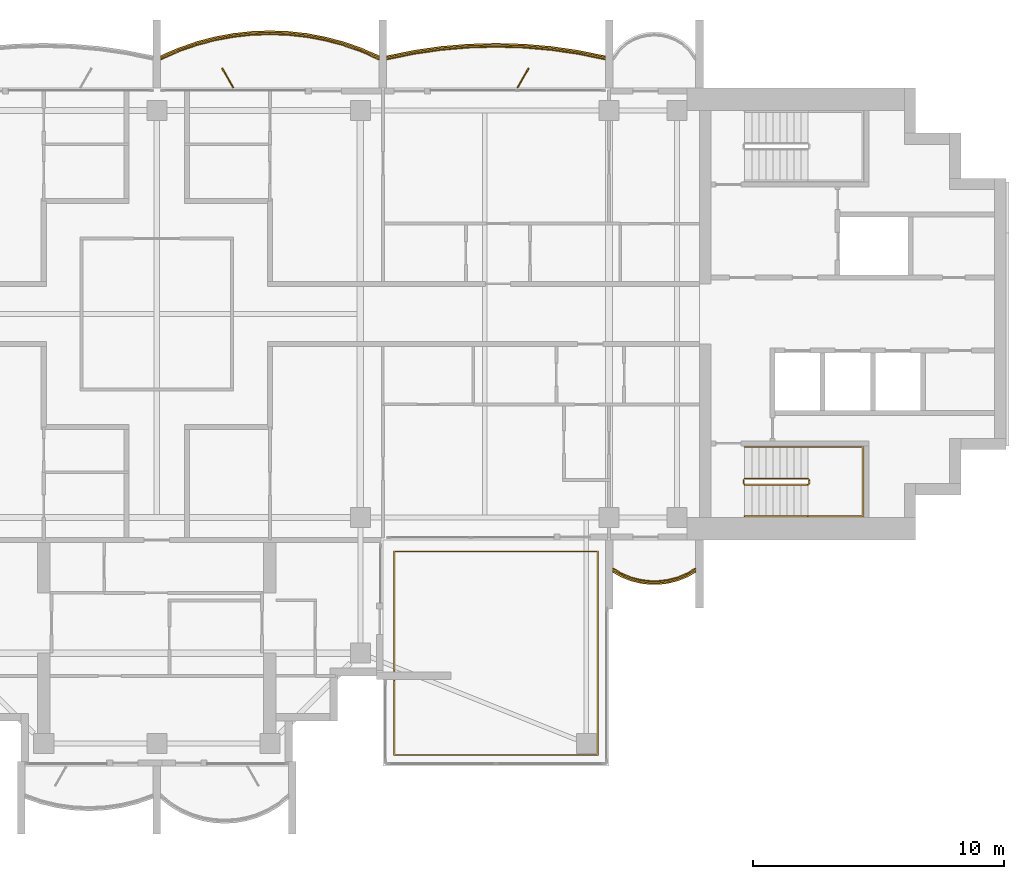
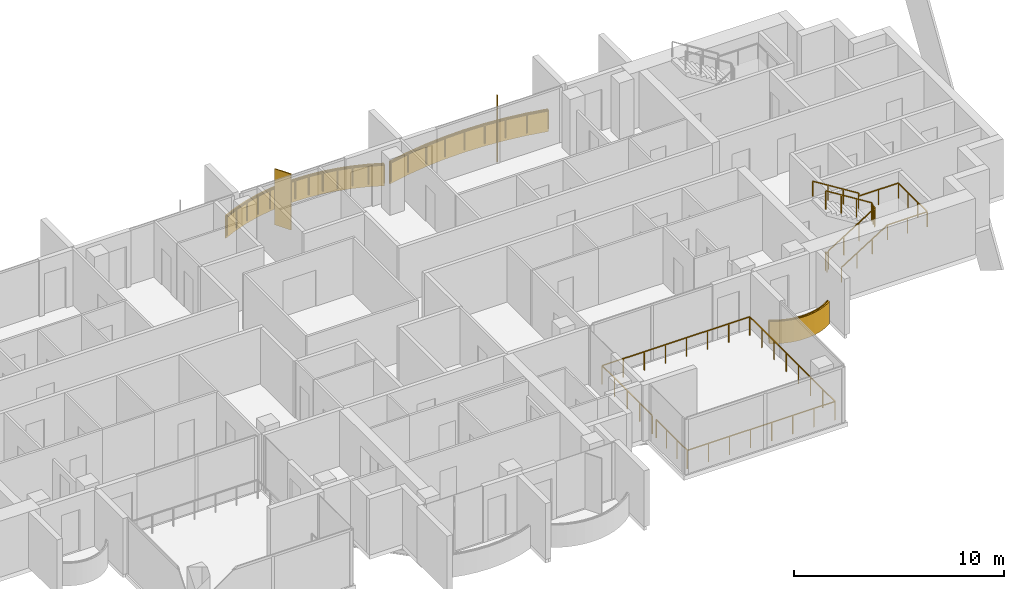
# One storey, part 15 of 16: 6 railings, 3 coverings, 2 shading devices.
"""IFC4 building model written with IfcOpenShell, lengths in metres."""

from ifc_helpers import new_model, si_unit, direction, frame, origin, origin_2d, place, context, subcontext, project, spatial, polyline, rectangle, outline, extrude, material, layer, layer_set, type_object, element, save


model = new_model("IFC4")

# Units and contexts
model_context = context("Model", 3, precision=1e-05, world=origin(), true_north=direction((0.0, 1.0)))
body_context = subcontext(model_context, "Body", "Model", "MODEL_VIEW")
ifc_project = project(units=[si_unit("LENGTHUNIT", "METRE"), si_unit("AREAUNIT", "SQUARE_METRE"), si_unit("VOLUMEUNIT", "CUBIC_METRE"), si_unit("PLANEANGLEUNIT", "RADIAN"), si_unit("MASSUNIT", "GRAM", prefix="KILO")], contexts=[model_context])

# Site, building, storey
site_placement = place(None, origin())
site = spatial("IfcSite", under=ifc_project, at=site_placement, CompositionType="ELEMENT")
building_placement = place(site_placement, origin())
building = spatial("IfcBuilding", under=site, at=building_placement, Name="Perihelion Cross Residences", CompositionType="ELEMENT")
storey_placement = place(building_placement, frame((0.0, 0.0, 253.5)))
storey = spatial("IfcBuildingStorey", under=building, at=storey_placement, Name="L64", CompositionType="ELEMENT", Elevation=253.5)

# Coverings
ifc_material_1 = material(Name="Bronze anodised aluminium", Category="aluminium")
ifc_layer_1 = layer(ifc_material_1, 0.070068359375)
ifc_layer_set_1 = layer_set([ifc_layer_1], Name="Balcony fascia 1300")
covering_type = type_object("IfcCoveringType", Name="Balcony fascia 1300", PredefinedType="CLADDING", material=ifc_layer_set_1)
covering_1_placement = place(storey_placement, frame((0.0, 0.0, -0.199951171875)))
element("IfcCovering", 1, at=covering_1_placement, inside=storey, type_object=covering_type, Name="Fascia BF1 L64 east side north bay 2", PredefinedType="CLADDING", context=body_context, shape_type="SweptSolid", body=[
    extrude(outline(polyline([(16.7744140625, 10.4892578125), (15.682861328125, 10.645751953125), (14.591552734375, 10.739013671875), (13.5, 10.77001953125), (12.408447265625, 10.739013671875), (11.317138671875, 10.645751953125), (10.2255859375, 10.4892578125), (9.14990234375, 10.271484375), (9.14990234375, 10.199951171875), (10.237548828125, 10.42041015625), (11.324951171875, 10.576171875), (12.41259765625, 10.669189453125), (13.5, 10.699951171875), (14.58740234375, 10.669189453125), (15.675048828125, 10.576171875), (16.762451171875, 10.42041015625), (17.85009765625, 10.199951171875), (17.85009765625, 10.271484375), (16.7744140625, 10.4892578125)])), origin(), (0.0, 0.0, 1.0), 1.300048828125),
])
covering_2_placement = place(storey_placement, frame((0.0, 0.0, -0.199951171875)))
element("IfcCovering", 2, at=covering_2_placement, inside=storey, type_object=covering_type, Name="Fascia BF1 L64 north side east bay 1", PredefinedType="CLADDING", context=body_context, shape_type="SweptSolid", body=[
    extrude(outline(polyline([(8.150634765625, 10.582275390625), (7.42041015625, 10.83544921875), (6.690185546875, 11.028076171875), (5.960205078125, 11.1630859375), (5.22998046875, 11.243408203125), (4.5, 11.27001953125), (3.77001953125, 11.243408203125), (3.039794921875, 11.1630859375), (2.309814453125, 11.028076171875), (1.57958984375, 10.83544921875), (0.849365234375, 10.582275390625), (0.14990234375, 10.2763671875), (0.14990234375, 10.199951171875), (0.875, 10.51708984375), (1.60009765625, 10.7685546875), (2.324951171875, 10.959716796875), (3.050048828125, 11.093994140625), (3.77490234375, 11.173583984375), (4.5, 11.199951171875), (5.22509765625, 11.173583984375), (5.949951171875, 11.093994140625), (6.675048828125, 10.959716796875), (7.39990234375, 10.7685546875), (8.125, 10.51708984375), (8.85009765625, 10.199951171875), (8.85009765625, 10.2763671875), (8.150634765625, 10.582275390625)])), origin(), (0.0, 0.0, 1.0), 1.300048828125),
])
covering_3_placement = place(storey_placement, frame((0.0, 0.0, -0.199951171875)))
element("IfcCovering", 3, at=covering_3_placement, inside=storey, type_object=covering_type, Name="Fascia BF1 L64 east side south bay 2", PredefinedType="CLADDING", context=body_context, shape_type="SweptSolid", body=[
    extrude(outline(polyline([(18.486328125, -10.4716796875), (18.861572265625, -10.62158203125), (19.237060546875, -10.717529296875), (19.6123046875, -10.76416015625), (19.987548828125, -10.76416015625), (20.363037109375, -10.717529296875), (20.73828125, -10.62158203125), (21.11376953125, -10.4716796875), (21.449951171875, -10.280517578125), (21.449951171875, -10.199951171875), (21.083251953125, -10.40869140625), (20.716552734375, -10.55517578125), (20.35009765625, -10.648681640625), (19.9833984375, -10.6943359375), (19.61669921875, -10.6943359375), (19.25, -10.648681640625), (18.88330078125, -10.55517578125), (18.5166015625, -10.40869140625), (18.14990234375, -10.199951171875), (18.14990234375, -10.280517578125), (18.486328125, -10.4716796875)])), origin(), (0.0, 0.0, 1.0), 1.300048828125),
])

# Railings
ifc_material_2 = material(Name="Bronze anodised aluminium", Category="aluminium")
railing_type_1 = type_object("IfcRailingType", Name="Balcony guard 1100", PredefinedType="GUARDRAIL", material=ifc_material_2)
railing_1_placement = place(storey_placement, frame((17.824951171875, 10.139892578125, 0.0)))
element("IfcRailing", 4, at=railing_1_placement, inside=storey, type_object=railing_type_1, Name="Guard GU1 L64 east side north bay 2 balcony", PredefinedType="GUARDRAIL", context=body_context, shape_type="SweptSolid", body=[
    extrude(rectangle(XDim=0.048095703125, YDim=0.048095703125, at=origin_2d()), frame((0.0, 0.0, 1.076171875), z_axis=(-0.979144816647, 0.203163549961, 0.0), x_axis=(-0.203163549961, -0.979144816647, 0.0)), (0.0, 0.0, 1.0), 1.085205078125),
    extrude(rectangle(XDim=0.048095703125, YDim=0.048095703125, at=origin_2d()), frame((-1.0625, 0.220458984375, 1.076171875), z_axis=(-0.98989608354, 0.141794724135, 0.0), x_axis=(-0.141794724135, -0.98989608354, 0.0)), (0.0, 0.0, 1.0), 1.098388671875),
    extrude(rectangle(XDim=0.048095703125, YDim=0.048095703125, at=origin_2d()), frame((-2.14990234375, 0.376220703125, 1.076171875), z_axis=(-0.996362942492, 0.085210837506, 0.0), x_axis=(-0.085210837506, -0.996362942492, 0.0)), (0.0, 0.0, 1.0), 1.091552734375),
    extrude(rectangle(XDim=0.048095703125, YDim=0.048095703125, at=origin_2d()), frame((-3.237548828125, 0.46923828125, 1.076171875), z_axis=(-0.999600101203, 0.028277865458, 0.0), x_axis=(-0.028277865458, -0.999600101203, 0.0)), (0.0, 0.0, 1.0), 1.087890625),
    extrude(rectangle(XDim=0.048095703125, YDim=0.048095703125, at=origin_2d()), frame((-4.324951171875, 0.5, 1.076171875), z_axis=(-0.999600101203, -0.028277865458, 0.0), x_axis=(0.028277865458, -0.999600101203, 0.0)), (0.0, 0.0, 1.0), 1.087890625),
    extrude(rectangle(XDim=0.048095703125, YDim=0.048095703125, at=origin_2d()), frame((-5.412353515625, 0.46923828125, 1.076171875), z_axis=(-0.996362942492, -0.085210837506, 0.0), x_axis=(0.085210837506, -0.996362942492, 0.0)), (0.0, 0.0, 1.0), 1.091552734375),
    extrude(rectangle(XDim=0.048095703125, YDim=0.048095703125, at=origin_2d()), frame((-6.5, 0.376220703125, 1.076171875), z_axis=(-0.98989608354, -0.141794724135, 0.0), x_axis=(0.141794724135, -0.98989608354, 0.0)), (0.0, 0.0, 1.0), 1.098388671875),
    extrude(rectangle(XDim=0.048095703125, YDim=0.048095703125, at=origin_2d()), frame((-7.58740234375, 0.220458984375, 1.076171875), z_axis=(-0.979144816647, -0.203163549961, 0.0), x_axis=(0.203163549961, -0.979144816647, 0.0)), (0.0, 0.0, 1.0), 1.085205078125),
    extrude(rectangle(XDim=0.0419921875, YDim=0.0419921875, at=origin_2d()), origin(), (0.0, 0.0, 1.0), 1.052001953125),
    extrude(rectangle(XDim=0.0419921875, YDim=0.0419921875, at=origin_2d()), frame((-1.0625, 0.220458984375, 0.0)), (0.0, 0.0, 1.0), 1.052001953125),
    extrude(rectangle(XDim=0.0419921875, YDim=0.0419921875, at=origin_2d()), frame((-2.14990234375, 0.376220703125, 0.0)), (0.0, 0.0, 1.0), 1.052001953125),
    extrude(rectangle(XDim=0.0419921875, YDim=0.0419921875, at=origin_2d()), frame((-3.237548828125, 0.46923828125, 0.0)), (0.0, 0.0, 1.0), 1.052001953125),
    extrude(rectangle(XDim=0.0419921875, YDim=0.0419921875, at=origin_2d()), frame((-4.324951171875, 0.5, 0.0)), (0.0, 0.0, 1.0), 1.052001953125),
    extrude(rectangle(XDim=0.0419921875, YDim=0.0419921875, at=origin_2d()), frame((-5.412353515625, 0.46923828125, 0.0)), (0.0, 0.0, 1.0), 1.052001953125),
    extrude(rectangle(XDim=0.0419921875, YDim=0.0419921875, at=origin_2d()), frame((-6.5, 0.376220703125, 0.0)), (0.0, 0.0, 1.0), 1.052001953125),
    extrude(rectangle(XDim=0.0419921875, YDim=0.0419921875, at=origin_2d()), frame((-7.58740234375, 0.220458984375, 0.0)), (0.0, 0.0, 1.0), 1.052001953125),
    extrude(rectangle(XDim=0.0419921875, YDim=0.0419921875, at=origin_2d()), frame((-8.64990234375, 0.0, 0.0)), (0.0, 0.0, 1.0), 1.052001953125),
])
railing_2_placement = place(storey_placement, frame((8.824951171875, 10.139892578125, 0.0)))
element("IfcRailing", 5, at=railing_2_placement, inside=storey, type_object=railing_type_1, Name="Guard GU1 L64 north side east bay 1 balcony", PredefinedType="GUARDRAIL", context=body_context, shape_type="SweptSolid", body=[
    extrude(rectangle(XDim=0.048095703125, YDim=0.048095703125, at=origin_2d()), frame((0.0, 0.0, 1.076171875), z_axis=(-0.910866309087, 0.412701547089, 0.0), x_axis=(-0.412701547089, -0.910866309087, 0.0)), (0.0, 0.0, 1.0), 0.7685546875),
    extrude(rectangle(XDim=0.048095703125, YDim=0.048095703125, at=origin_2d()), frame((-0.699951171875, 0.317138671875, 1.076171875), z_axis=(-0.944796812452, 0.327656807012, 0.0), x_axis=(-0.327656807012, -0.944796812452, 0.0)), (0.0, 0.0, 1.0), 0.767578125),
    extrude(rectangle(XDim=0.048095703125, YDim=0.048095703125, at=origin_2d()), frame((-1.425048828125, 0.568603515625, 1.076171875), z_axis=(-0.966939404945, 0.255006249266, 0.0), x_axis=(-0.255006249266, -0.966939404945, 0.0)), (0.0, 0.0, 1.0), 0.749755859375),
    extrude(rectangle(XDim=0.048095703125, YDim=0.048095703125, at=origin_2d()), frame((-2.14990234375, 0.759765625, 1.076171875), z_axis=(-0.983282004984, 0.182089260182, 0.0), x_axis=(-0.182089260182, -0.983282004984, 0.0)), (0.0, 0.0, 1.0), 0.7373046875),
    extrude(rectangle(XDim=0.048095703125, YDim=0.048095703125, at=origin_2d()), frame((-2.875, 0.89404296875, 1.076171875), z_axis=(-0.994025805622, 0.109145305703, 0.0), x_axis=(-0.109145305703, -0.994025805622, 0.0)), (0.0, 0.0, 1.0), 0.729248046875),
    extrude(rectangle(XDim=0.048095703125, YDim=0.048095703125, at=origin_2d()), frame((-3.599853515625, 0.9736328125, 1.076171875), z_axis=(-0.999339497946, 0.036339618107, 0.0), x_axis=(-0.036339618107, -0.999339497946, 0.0)), (0.0, 0.0, 1.0), 0.7255859375),
    extrude(rectangle(XDim=0.048095703125, YDim=0.048095703125, at=origin_2d()), frame((-4.324951171875, 1.0, 1.076171875), z_axis=(-0.999339497946, -0.036339618107, 0.0), x_axis=(0.036339618107, -0.999339497946, 0.0)), (0.0, 0.0, 1.0), 0.7255859375),
    extrude(rectangle(XDim=0.048095703125, YDim=0.048095703125, at=origin_2d()), frame((-5.050048828125, 0.9736328125, 1.076171875), z_axis=(-0.994025805622, -0.109145305703, 0.0), x_axis=(0.109145305703, -0.994025805622, 0.0)), (0.0, 0.0, 1.0), 0.729248046875),
    extrude(rectangle(XDim=0.048095703125, YDim=0.048095703125, at=origin_2d()), frame((-5.77490234375, 0.89404296875, 1.076171875), z_axis=(-0.983282004984, -0.182089260182, 0.0), x_axis=(0.182089260182, -0.983282004984, 0.0)), (0.0, 0.0, 1.0), 0.7373046875),
    extrude(rectangle(XDim=0.048095703125, YDim=0.048095703125, at=origin_2d()), frame((-6.5, 0.759765625, 1.076171875), z_axis=(-0.966939404945, -0.255006249266, 0.0), x_axis=(0.255006249266, -0.966939404945, 0.0)), (0.0, 0.0, 1.0), 0.749755859375),
    extrude(rectangle(XDim=0.048095703125, YDim=0.048095703125, at=origin_2d()), frame((-7.224853515625, 0.568603515625, 1.076171875), z_axis=(-0.944796812452, -0.327656807012, 0.0), x_axis=(0.327656807012, -0.944796812452, 0.0)), (0.0, 0.0, 1.0), 0.767578125),
    extrude(rectangle(XDim=0.048095703125, YDim=0.048095703125, at=origin_2d()), frame((-7.949951171875, 0.317138671875, 1.076171875), z_axis=(-0.910866309087, -0.412701547089, 0.0), x_axis=(0.412701547089, -0.910866309087, 0.0)), (0.0, 0.0, 1.0), 0.7685546875),
    extrude(rectangle(XDim=0.0419921875, YDim=0.0419921875, at=origin_2d()), origin(), (0.0, 0.0, 1.0), 1.052001953125),
    extrude(rectangle(XDim=0.0419921875, YDim=0.0419921875, at=origin_2d()), frame((-0.699951171875, 0.317138671875, 0.0)), (0.0, 0.0, 1.0), 1.052001953125),
    extrude(rectangle(XDim=0.0419921875, YDim=0.0419921875, at=origin_2d()), frame((-1.425048828125, 0.568603515625, 0.0)), (0.0, 0.0, 1.0), 1.052001953125),
    extrude(rectangle(XDim=0.0419921875, YDim=0.0419921875, at=origin_2d()), frame((-2.14990234375, 0.759765625, 0.0)), (0.0, 0.0, 1.0), 1.052001953125),
    extrude(rectangle(XDim=0.0419921875, YDim=0.0419921875, at=origin_2d()), frame((-2.875, 0.89404296875, 0.0)), (0.0, 0.0, 1.0), 1.052001953125),
    extrude(rectangle(XDim=0.0419921875, YDim=0.0419921875, at=origin_2d()), frame((-3.599853515625, 0.9736328125, 0.0)), (0.0, 0.0, 1.0), 1.052001953125),
    extrude(rectangle(XDim=0.0419921875, YDim=0.0419921875, at=origin_2d()), frame((-4.324951171875, 1.0, 0.0)), (0.0, 0.0, 1.0), 1.052001953125),
    extrude(rectangle(XDim=0.0419921875, YDim=0.0419921875, at=origin_2d()), frame((-5.050048828125, 0.9736328125, 0.0)), (0.0, 0.0, 1.0), 1.052001953125),
    extrude(rectangle(XDim=0.0419921875, YDim=0.0419921875, at=origin_2d()), frame((-5.77490234375, 0.89404296875, 0.0)), (0.0, 0.0, 1.0), 1.052001953125),
    extrude(rectangle(XDim=0.0419921875, YDim=0.0419921875, at=origin_2d()), frame((-6.5, 0.759765625, 0.0)), (0.0, 0.0, 1.0), 1.052001953125),
    extrude(rectangle(XDim=0.0419921875, YDim=0.0419921875, at=origin_2d()), frame((-7.224853515625, 0.568603515625, 0.0)), (0.0, 0.0, 1.0), 1.052001953125),
    extrude(rectangle(XDim=0.0419921875, YDim=0.0419921875, at=origin_2d()), frame((-7.949951171875, 0.317138671875, 0.0)), (0.0, 0.0, 1.0), 1.052001953125),
    extrude(rectangle(XDim=0.0419921875, YDim=0.0419921875, at=origin_2d()), frame((-8.64990234375, 0.0, 0.0)), (0.0, 0.0, 1.0), 1.052001953125),
])
railing_3_placement = place(storey_placement, frame((18.175048828125, -10.139892578125, 0.0)))
element("IfcRailing", 6, at=railing_3_placement, inside=storey, type_object=railing_type_1, Name="Guard GU1 L64 east side south bay 2 balcony", PredefinedType="GUARDRAIL", context=body_context, shape_type="SweptSolid", body=[
    extrude(rectangle(XDim=0.048095703125, YDim=0.048095703125, at=origin_2d()), frame((0.0, 0.0, 1.076171875), z_axis=(0.853266756821, -0.52147467983, 0.0), x_axis=(0.52147467983, 0.853266756821, 0.0)), (0.0, 0.0, 1.0), 0.400390625),
    extrude(rectangle(XDim=0.048095703125, YDim=0.048095703125, at=origin_2d()), frame((0.341552734375, -0.208740234375, 1.076171875), z_axis=(0.928647151248, -0.37096424151, 0.0), x_axis=(0.37096424151, 0.928647151248, 0.0)), (0.0, 0.0, 1.0), 0.394775390625),
    extrude(rectangle(XDim=0.048095703125, YDim=0.048095703125, at=origin_2d()), frame((0.708251953125, -0.355224609375, 1.076171875), z_axis=(0.968993337782, -0.247086849781, 0.0), x_axis=(0.247086849781, 0.968993337782, 0.0)), (0.0, 0.0, 1.0), 0.37841796875),
    extrude(rectangle(XDim=0.048095703125, YDim=0.048095703125, at=origin_2d()), frame((1.074951171875, -0.44873046875, 1.076171875), z_axis=(0.992338742457, -0.123546834114, 0.0), x_axis=(0.123546834114, 0.992338742457, 0.0)), (0.0, 0.0, 1.0), 0.36962890625),
    extrude(rectangle(XDim=0.048095703125, YDim=0.048095703125, at=origin_2d()), frame((1.441650390625, -0.494384765625, 1.076171875), z_axis=(1.0, 0.0, 0.0), x_axis=(0.0, 1.0, 0.0)), (0.0, 0.0, 1.0), 0.36669921875),
    extrude(rectangle(XDim=0.048095703125, YDim=0.048095703125, at=origin_2d()), frame((1.808349609375, -0.494384765625, 1.076171875), z_axis=(0.992338742457, 0.123546834114, 0.0), x_axis=(-0.123546834114, 0.992338742457, 0.0)), (0.0, 0.0, 1.0), 0.36962890625),
    extrude(rectangle(XDim=0.048095703125, YDim=0.048095703125, at=origin_2d()), frame((2.175048828125, -0.44873046875, 1.076171875), z_axis=(0.968953914071, 0.247241405123, 0.0), x_axis=(-0.247241405123, 0.968953914071, 0.0)), (0.0, 0.0, 1.0), 0.378173828125),
    extrude(rectangle(XDim=0.048095703125, YDim=0.048095703125, at=origin_2d()), frame((2.54150390625, -0.355224609375, 1.076171875), z_axis=(0.928647151248, 0.37096424151, 0.0), x_axis=(-0.37096424151, 0.928647151248, 0.0)), (0.0, 0.0, 1.0), 0.394775390625),
    extrude(rectangle(XDim=0.048095703125, YDim=0.048095703125, at=origin_2d()), frame((2.908203125, -0.208740234375, 1.076171875), z_axis=(0.853432484338, 0.521203410078, 0.0), x_axis=(-0.521203410078, 0.853432484338, 0.0)), (0.0, 0.0, 1.0), 0.400390625),
    extrude(rectangle(XDim=0.0419921875, YDim=0.0419921875, at=origin_2d()), origin(), (0.0, 0.0, 1.0), 1.052001953125),
    extrude(rectangle(XDim=0.0419921875, YDim=0.0419921875, at=origin_2d()), frame((0.341552734375, -0.208740234375, 0.0)), (0.0, 0.0, 1.0), 1.052001953125),
    extrude(rectangle(XDim=0.0419921875, YDim=0.0419921875, at=origin_2d()), frame((0.708251953125, -0.355224609375, 0.0)), (0.0, 0.0, 1.0), 1.052001953125),
    extrude(rectangle(XDim=0.0419921875, YDim=0.0419921875, at=origin_2d()), frame((1.074951171875, -0.44873046875, 0.0)), (0.0, 0.0, 1.0), 1.052001953125),
    extrude(rectangle(XDim=0.0419921875, YDim=0.0419921875, at=origin_2d()), frame((1.441650390625, -0.494384765625, 0.0)), (0.0, 0.0, 1.0), 1.052001953125),
    extrude(rectangle(XDim=0.0419921875, YDim=0.0419921875, at=origin_2d()), frame((1.808349609375, -0.494384765625, 0.0)), (0.0, 0.0, 1.0), 1.052001953125),
    extrude(rectangle(XDim=0.0419921875, YDim=0.0419921875, at=origin_2d()), frame((2.175048828125, -0.44873046875, 0.0)), (0.0, 0.0, 1.0), 1.052001953125),
    extrude(rectangle(XDim=0.0419921875, YDim=0.0419921875, at=origin_2d()), frame((2.54150390625, -0.355224609375, 0.0)), (0.0, 0.0, 1.0), 1.052001953125),
    extrude(rectangle(XDim=0.0419921875, YDim=0.0419921875, at=origin_2d()), frame((2.908203125, -0.208740234375, 0.0)), (0.0, 0.0, 1.0), 1.052001953125),
    extrude(rectangle(XDim=0.0419921875, YDim=0.0419921875, at=origin_2d()), frame((3.25, 0.0, 0.0)), (0.0, 0.0, 1.0), 1.052001953125),
])
railing_4_placement = place(storey_placement, frame((9.449951171875, -14.2099609375, 0.0)))
element("IfcRailing", 7, at=railing_4_placement, inside=storey, type_object=railing_type_1, Name="Guard GU1 L64 pocket south-east 1", PredefinedType="GUARDRAIL", context=body_context, shape_type="SweptSolid", body=[
    extrude(rectangle(XDim=0.048095703125, YDim=0.048095703125, at=origin_2d()), frame((0.0, 0.0, 1.076171875), z_axis=(0.0, 1.0, 0.0), x_axis=(-1.0, 0.0, 0.0)), (0.0, 0.0, 1.0), 4.760009765625),
    extrude(rectangle(XDim=0.048095703125, YDim=0.048095703125, at=origin_2d()), frame((0.0, 4.760009765625, 1.076171875), z_axis=(1.0, 0.0, 0.0), x_axis=(0.0, 1.0, 0.0)), (0.0, 0.0, 1.0), 8.10009765625),
    extrude(rectangle(XDim=0.048095703125, YDim=0.048095703125, at=origin_2d()), frame((8.10009765625, 4.760009765625, 1.076171875), z_axis=(0.0, -1.0, 0.0), x_axis=(1.0, 0.0, 0.0)), (0.0, 0.0, 1.0), 8.10009765625),
    extrude(rectangle(XDim=0.048095703125, YDim=0.048095703125, at=origin_2d()), frame((8.10009765625, -3.340087890625, 1.076171875), z_axis=(-1.0, 0.0, 0.0), x_axis=(0.0, -1.0, 0.0)), (0.0, 0.0, 1.0), 8.10009765625),
    extrude(rectangle(XDim=0.048095703125, YDim=0.048095703125, at=origin_2d()), frame((0.0, -3.340087890625, 1.076171875), z_axis=(0.0, 1.0, 0.0), x_axis=(-1.0, 0.0, 0.0)), (0.0, 0.0, 1.0), 2.9599609375),
    extrude(rectangle(XDim=0.0419921875, YDim=0.0419921875, at=origin_2d()), origin(), (0.0, 0.0, 1.0), 1.052001953125),
    extrude(rectangle(XDim=0.0419921875, YDim=0.0419921875, at=origin_2d()), frame((0.0, 1.18994140625, 0.0)), (0.0, 0.0, 1.0), 1.052001953125),
    extrude(rectangle(XDim=0.0419921875, YDim=0.0419921875, at=origin_2d()), frame((0.0, 2.3798828125, 0.0)), (0.0, 0.0, 1.0), 1.052001953125),
    extrude(rectangle(XDim=0.0419921875, YDim=0.0419921875, at=origin_2d()), frame((0.0, 3.570068359375, 0.0)), (0.0, 0.0, 1.0), 1.052001953125),
    extrude(rectangle(XDim=0.0419921875, YDim=0.0419921875, at=origin_2d()), frame((0.0, 4.760009765625, 0.0)), (0.0, 0.0, 1.0), 1.052001953125),
    extrude(rectangle(XDim=0.0419921875, YDim=0.0419921875, at=origin_2d()), frame((1.1572265625, 4.760009765625, 0.0)), (0.0, 0.0, 1.0), 1.052001953125),
    extrude(rectangle(XDim=0.0419921875, YDim=0.0419921875, at=origin_2d()), frame((2.314208984375, 4.760009765625, 0.0)), (0.0, 0.0, 1.0), 1.052001953125),
    extrude(rectangle(XDim=0.0419921875, YDim=0.0419921875, at=origin_2d()), frame((3.471435546875, 4.760009765625, 0.0)), (0.0, 0.0, 1.0), 1.052001953125),
    extrude(rectangle(XDim=0.0419921875, YDim=0.0419921875, at=origin_2d()), frame((4.628662109375, 4.760009765625, 0.0)), (0.0, 0.0, 1.0), 1.052001953125),
    extrude(rectangle(XDim=0.0419921875, YDim=0.0419921875, at=origin_2d()), frame((5.785888671875, 4.760009765625, 0.0)), (0.0, 0.0, 1.0), 1.052001953125),
    extrude(rectangle(XDim=0.0419921875, YDim=0.0419921875, at=origin_2d()), frame((6.94287109375, 4.760009765625, 0.0)), (0.0, 0.0, 1.0), 1.052001953125),
    extrude(rectangle(XDim=0.0419921875, YDim=0.0419921875, at=origin_2d()), frame((8.10009765625, 4.760009765625, 0.0)), (0.0, 0.0, 1.0), 1.052001953125),
    extrude(rectangle(XDim=0.0419921875, YDim=0.0419921875, at=origin_2d()), frame((8.10009765625, 3.602783203125, 0.0)), (0.0, 0.0, 1.0), 1.052001953125),
    extrude(rectangle(XDim=0.0419921875, YDim=0.0419921875, at=origin_2d()), frame((8.10009765625, 2.44580078125, 0.0)), (0.0, 0.0, 1.0), 1.052001953125),
    extrude(rectangle(XDim=0.0419921875, YDim=0.0419921875, at=origin_2d()), frame((8.10009765625, 1.28857421875, 0.0)), (0.0, 0.0, 1.0), 1.052001953125),
    extrude(rectangle(XDim=0.0419921875, YDim=0.0419921875, at=origin_2d()), frame((8.10009765625, 0.13134765625, 0.0)), (0.0, 0.0, 1.0), 1.052001953125),
    extrude(rectangle(XDim=0.0419921875, YDim=0.0419921875, at=origin_2d()), frame((8.10009765625, -1.02587890625, 0.0)), (0.0, 0.0, 1.0), 1.052001953125),
    extrude(rectangle(XDim=0.0419921875, YDim=0.0419921875, at=origin_2d()), frame((8.10009765625, -2.182861328125, 0.0)), (0.0, 0.0, 1.0), 1.052001953125),
    extrude(rectangle(XDim=0.0419921875, YDim=0.0419921875, at=origin_2d()), frame((8.10009765625, -3.340087890625, 0.0)), (0.0, 0.0, 1.0), 1.052001953125),
    extrude(rectangle(XDim=0.0419921875, YDim=0.0419921875, at=origin_2d()), frame((6.94287109375, -3.340087890625, 0.0)), (0.0, 0.0, 1.0), 1.052001953125),
    extrude(rectangle(XDim=0.0419921875, YDim=0.0419921875, at=origin_2d()), frame((5.785888671875, -3.340087890625, 0.0)), (0.0, 0.0, 1.0), 1.052001953125),
    extrude(rectangle(XDim=0.0419921875, YDim=0.0419921875, at=origin_2d()), frame((4.628662109375, -3.340087890625, 0.0)), (0.0, 0.0, 1.0), 1.052001953125),
    extrude(rectangle(XDim=0.0419921875, YDim=0.0419921875, at=origin_2d()), frame((3.471435546875, -3.340087890625, 0.0)), (0.0, 0.0, 1.0), 1.052001953125),
    extrude(rectangle(XDim=0.0419921875, YDim=0.0419921875, at=origin_2d()), frame((2.314208984375, -3.340087890625, 0.0)), (0.0, 0.0, 1.0), 1.052001953125),
    extrude(rectangle(XDim=0.0419921875, YDim=0.0419921875, at=origin_2d()), frame((1.1572265625, -3.340087890625, 0.0)), (0.0, 0.0, 1.0), 1.052001953125),
    extrude(rectangle(XDim=0.0419921875, YDim=0.0419921875, at=origin_2d()), frame((0.0, -3.340087890625, 0.0)), (0.0, 0.0, 1.0), 1.052001953125),
    extrude(rectangle(XDim=0.0419921875, YDim=0.0419921875, at=origin_2d()), frame((0.0, -2.353515625, 0.0)), (0.0, 0.0, 1.0), 1.052001953125),
    extrude(rectangle(XDim=0.0419921875, YDim=0.0419921875, at=origin_2d()), frame((0.0, -1.36669921875, 0.0)), (0.0, 0.0, 1.0), 1.052001953125),
    extrude(rectangle(XDim=0.0419921875, YDim=0.0419921875, at=origin_2d()), frame((0.0, -0.380126953125, 0.0)), (0.0, 0.0, 1.0), 1.052001953125),
])

# Shading devices
ifc_material_3 = material(Name="Bronze anodised aluminium", Category="aluminium")
ifc_layer_2 = layer(ifc_material_3, 0.050048828125)
ifc_layer_set_2 = layer_set([ifc_layer_2], Name="Bronze fin 900")
shading_device_type = type_object("IfcShadingDeviceType", Name="Bronze fin 900", PredefinedType="USERDEFINED", material=ifc_layer_set_2)
for number, where, z_axis, x_axis, name in (
    (8, (14.574951171875, 9.3896484375, 0.0), (0.0, 0.0, 1.0), (0.5, 0.866025403784, 0.0), "Fin FN1 L64 east side north bay 2"),
    (9, (2.824951171875, 9.3896484375, 0.0), (0.0, 0.0, 1.0), (-0.5, 0.866025403784, 0.0), "Fin FN1 L64 north side east bay 1"),
):
    element("IfcShadingDevice", number, at=place(storey_placement, frame(where, z_axis=z_axis, x_axis=x_axis)), inside=storey, type_object=shading_device_type, Name=name, ObjectType="FIN", PredefinedType="USERDEFINED", context=body_context, shape_type="SweptSolid", body=[
        extrude(rectangle(XDim=0.89990234375, YDim=0.050048828125, at=origin_2d()), origin(), (0.0, 0.0, 1.0), 3.25),
    ])

# Railings
ifc_material_4 = material(Name="Stainless steel", Category="steel")
railing_type_2 = type_object("IfcRailingType", Name="Stair guard 1100", PredefinedType="GUARDRAIL", material=ifc_material_4)
railing_5_placement = place(storey_placement, frame((23.35009765625, -6.60009765625, 0.0)))
element("IfcRailing", 10, at=railing_5_placement, inside=storey, type_object=railing_type_2, Name="L64 ST-E2 stair guard 1", PredefinedType="GUARDRAIL", context=body_context, shape_type="SweptSolid", body=[
    extrude(rectangle(XDim=0.048095703125, YDim=0.048095703125, at=origin_2d()), frame((0.0, 0.0, 1.076171875), z_axis=(0.0, -1.0, 0.0), x_axis=(1.0, 0.0, 0.0)), (0.0, 0.0, 1.0), 0.14990234375),
    extrude(rectangle(XDim=0.048095703125, YDim=0.048095703125, at=origin_2d()), frame((0.0, -0.14990234375, 1.076171875), z_axis=(0.263862480399, -0.265155923931, 0.927399011991), x_axis=(0.708833529934, 0.705375805398, 0.0)), (0.0, 0.0, 1.0), 0.188720703125),
    extrude(rectangle(XDim=0.048095703125, YDim=0.048095703125, at=origin_2d()), frame((0.0498046875, -0.199951171875, 1.2509765625), z_axis=(0.848007534815, 0.0, 0.529984170421), x_axis=(0.0, 1.0, 0.0)), (0.0, 0.0, 1.0), 2.9716796875),
    extrude(rectangle(XDim=0.048095703125, YDim=0.048095703125, at=origin_2d()), frame((2.56982421875, -0.199951171875, 2.826171875), z_axis=(0.707106781187, 0.707106781187, 0.0), x_axis=(-0.707106781187, 0.707106781187, 0.0)), (0.0, 0.0, 1.0), 0.07080078125),
    extrude(rectangle(XDim=0.048095703125, YDim=0.048095703125, at=origin_2d()), frame((2.619873046875, -0.14990234375, 2.826171875), z_axis=(0.0, 1.0, 0.0), x_axis=(-1.0, 0.0, 0.0)), (0.0, 0.0, 1.0), 0.14990234375),
    extrude(rectangle(XDim=0.048095703125, YDim=0.048095703125, at=origin_2d()), frame((2.619873046875, 0.0, 2.826171875), z_axis=(-0.265065253269, 0.265065253269, 0.927081885822), x_axis=(-0.707106781187, -0.707106781187, 0.0)), (0.0, 0.0, 1.0), 0.188720703125),
    extrude(rectangle(XDim=0.048095703125, YDim=0.048095703125, at=origin_2d()), frame((2.56982421875, 0.050048828125, 3.0009765625), z_axis=(-0.848007534815, 0.0, 0.529984170421), x_axis=(0.0, -1.0, 0.0)), (0.0, 0.0, 1.0), 2.9716796875),
    extrude(rectangle(XDim=0.0419921875, YDim=0.0419921875, at=origin_2d()), origin(), (0.0, 0.0, 1.0), 1.052001953125),
    extrude(rectangle(XDim=0.0419921875, YDim=0.0419921875, at=origin_2d()), frame((0.0, -0.14990234375, 0.0)), (0.0, 0.0, 1.0), 1.052001953125),
    extrude(rectangle(XDim=0.0419921875, YDim=0.0419921875, at=origin_2d()), frame((0.0498046875, -0.199951171875, 0.175048828125)), (0.0, 0.0, 1.0), 1.052001953125),
    extrude(rectangle(XDim=0.0419921875, YDim=0.0419921875, at=origin_2d()), frame((0.889892578125, -0.199951171875, 0.699951171875)), (0.0, 0.0, 1.0), 1.052001953125),
    extrude(rectangle(XDim=0.0419921875, YDim=0.0419921875, at=origin_2d()), frame((1.729736328125, -0.199951171875, 1.22509765625)), (0.0, 0.0, 1.0), 1.052001953125),
    extrude(rectangle(XDim=0.0419921875, YDim=0.0419921875, at=origin_2d()), frame((2.56982421875, -0.199951171875, 1.75)), (0.0, 0.0, 1.0), 1.052001953125),
    extrude(rectangle(XDim=0.0419921875, YDim=0.0419921875, at=origin_2d()), frame((2.619873046875, -0.14990234375, 1.75)), (0.0, 0.0, 1.0), 1.052001953125),
    extrude(rectangle(XDim=0.0419921875, YDim=0.0419921875, at=origin_2d()), frame((2.619873046875, 0.0, 1.75)), (0.0, 0.0, 1.0), 1.052001953125),
    extrude(rectangle(XDim=0.0419921875, YDim=0.0419921875, at=origin_2d()), frame((2.56982421875, 0.050048828125, 1.925048828125)), (0.0, 0.0, 1.0), 1.052001953125),
    extrude(rectangle(XDim=0.0419921875, YDim=0.0419921875, at=origin_2d()), frame((1.729736328125, 0.050048828125, 2.449951171875)), (0.0, 0.0, 1.0), 1.052001953125),
    extrude(rectangle(XDim=0.0419921875, YDim=0.0419921875, at=origin_2d()), frame((0.889892578125, 0.050048828125, 2.97509765625)), (0.0, 0.0, 1.0), 1.052001953125),
    extrude(rectangle(XDim=0.0419921875, YDim=0.0419921875, at=origin_2d()), frame((0.0498046875, 0.050048828125, 3.5)), (0.0, 0.0, 1.0), 1.052001953125),
])
ifc_material_5 = material(Name="Stainless steel", Category="steel")
railing_type_3 = type_object("IfcRailingType", Name="Stair handrail 900", PredefinedType="HANDRAIL", material=ifc_material_5)
railing_6_placement = place(storey_placement, frame((23.39990234375, -8.050048828125, 0.175048828125)))
element("IfcRailing", 11, at=railing_6_placement, inside=storey, type_object=railing_type_3, Name="L64 ST-E2 stair handrail 1", PredefinedType="HANDRAIL", context=body_context, shape_type="SweptSolid", body=[
    extrude(rectangle(XDim=0.048095703125, YDim=0.048095703125, at=origin_2d()), frame((0.0, 0.0, 0.8759765625), z_axis=(0.848007534815, 0.0, 0.529984170421), x_axis=(0.0, 1.0, 0.0)), (0.0, 0.0, 1.0), 2.9716796875),
    extrude(rectangle(XDim=0.048095703125, YDim=0.048095703125, at=origin_2d()), frame((2.52001953125, 0.0, 2.45068359375), z_axis=(1.0, 0.0, 0.0), x_axis=(0.0, 1.0, 0.0)), (0.0, 0.0, 1.0), 2.18017578125),
    extrude(rectangle(XDim=0.048095703125, YDim=0.048095703125, at=origin_2d()), frame((4.7001953125, 0.0, 2.45068359375), z_axis=(0.0, 1.0, 0.0), x_axis=(-1.0, 0.0, 0.0)), (0.0, 0.0, 1.0), 2.75),
    extrude(rectangle(XDim=0.048095703125, YDim=0.048095703125, at=origin_2d()), frame((4.7001953125, 2.75, 2.45068359375), z_axis=(-1.0, 0.0, 0.0), x_axis=(0.0, -1.0, 0.0)), (0.0, 0.0, 1.0), 2.18017578125),
    extrude(rectangle(XDim=0.048095703125, YDim=0.048095703125, at=origin_2d()), frame((2.52001953125, 2.75, 2.45068359375), z_axis=(0.0, 0.0, 1.0), x_axis=(1.0, 0.0, 0.0)), (0.0, 0.0, 1.0), 0.175048828125),
    extrude(rectangle(XDim=0.048095703125, YDim=0.048095703125, at=origin_2d()), frame((2.52001953125, 2.75, 2.6259765625), z_axis=(-0.848007534815, 0.0, 0.529984170421), x_axis=(0.0, -1.0, 0.0)), (0.0, 0.0, 1.0), 2.9716796875),
    extrude(rectangle(XDim=0.0419921875, YDim=0.0419921875, at=origin_2d()), origin(), (0.0, 0.0, 1.0), 0.851806640625),
    extrude(rectangle(XDim=0.0419921875, YDim=0.0419921875, at=origin_2d()), frame((0.840087890625, 0.0, 0.52490234375)), (0.0, 0.0, 1.0), 0.851806640625),
    extrude(rectangle(XDim=0.0419921875, YDim=0.0419921875, at=origin_2d()), frame((1.679931640625, 0.0, 1.050048828125)), (0.0, 0.0, 1.0), 0.851806640625),
    extrude(rectangle(XDim=0.0419921875, YDim=0.0419921875, at=origin_2d()), frame((2.52001953125, 0.0, 1.574951171875)), (0.0, 0.0, 1.0), 0.851806640625),
    extrude(rectangle(XDim=0.0419921875, YDim=0.0419921875, at=origin_2d()), frame((3.610107421875, 0.0, 1.574951171875)), (0.0, 0.0, 1.0), 0.851806640625),
    extrude(rectangle(XDim=0.0419921875, YDim=0.0419921875, at=origin_2d()), frame((4.7001953125, 0.0, 1.574951171875)), (0.0, 0.0, 1.0), 0.851806640625),
    extrude(rectangle(XDim=0.0419921875, YDim=0.0419921875, at=origin_2d()), frame((4.7001953125, 0.916748046875, 1.574951171875)), (0.0, 0.0, 1.0), 0.851806640625),
    extrude(rectangle(XDim=0.0419921875, YDim=0.0419921875, at=origin_2d()), frame((4.7001953125, 1.833251953125, 1.574951171875)), (0.0, 0.0, 1.0), 0.851806640625),
    extrude(rectangle(XDim=0.0419921875, YDim=0.0419921875, at=origin_2d()), frame((4.7001953125, 2.75, 1.574951171875)), (0.0, 0.0, 1.0), 0.851806640625),
    extrude(rectangle(XDim=0.0419921875, YDim=0.0419921875, at=origin_2d()), frame((3.610107421875, 2.75, 1.574951171875)), (0.0, 0.0, 1.0), 0.851806640625),
    extrude(rectangle(XDim=0.0419921875, YDim=0.0419921875, at=origin_2d()), frame((2.52001953125, 2.75, 1.574951171875)), (0.0, 0.0, 1.0), 0.851806640625),
    extrude(rectangle(XDim=0.0419921875, YDim=0.0419921875, at=origin_2d()), frame((2.52001953125, 2.75, 1.75)), (0.0, 0.0, 1.0), 0.851806640625),
    extrude(rectangle(XDim=0.0419921875, YDim=0.0419921875, at=origin_2d()), frame((1.679931640625, 2.75, 2.27490234375)), (0.0, 0.0, 1.0), 0.851806640625),
    extrude(rectangle(XDim=0.0419921875, YDim=0.0419921875, at=origin_2d()), frame((0.840087890625, 2.75, 2.800048828125)), (0.0, 0.0, 1.0), 0.851806640625),
    extrude(rectangle(XDim=0.0419921875, YDim=0.0419921875, at=origin_2d()), frame((0.0, 2.75, 3.324951171875)), (0.0, 0.0, 1.0), 0.851806640625),
])

save(model, "model.ifc")
